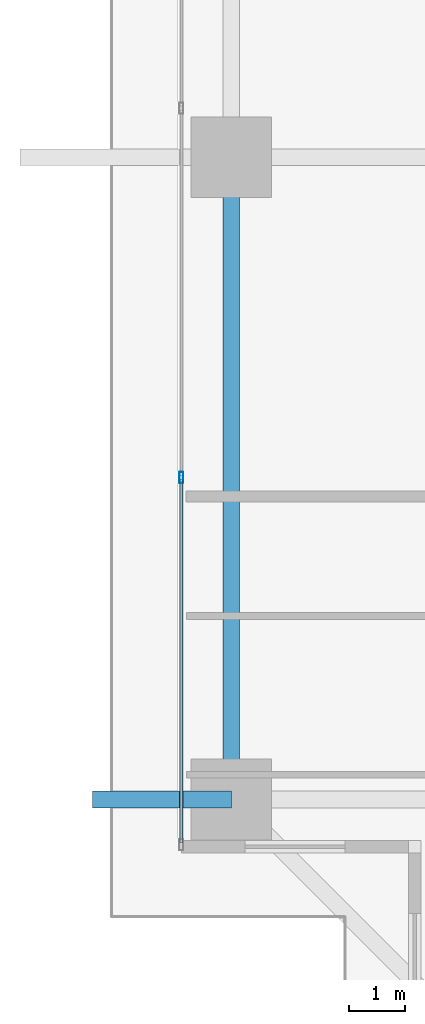
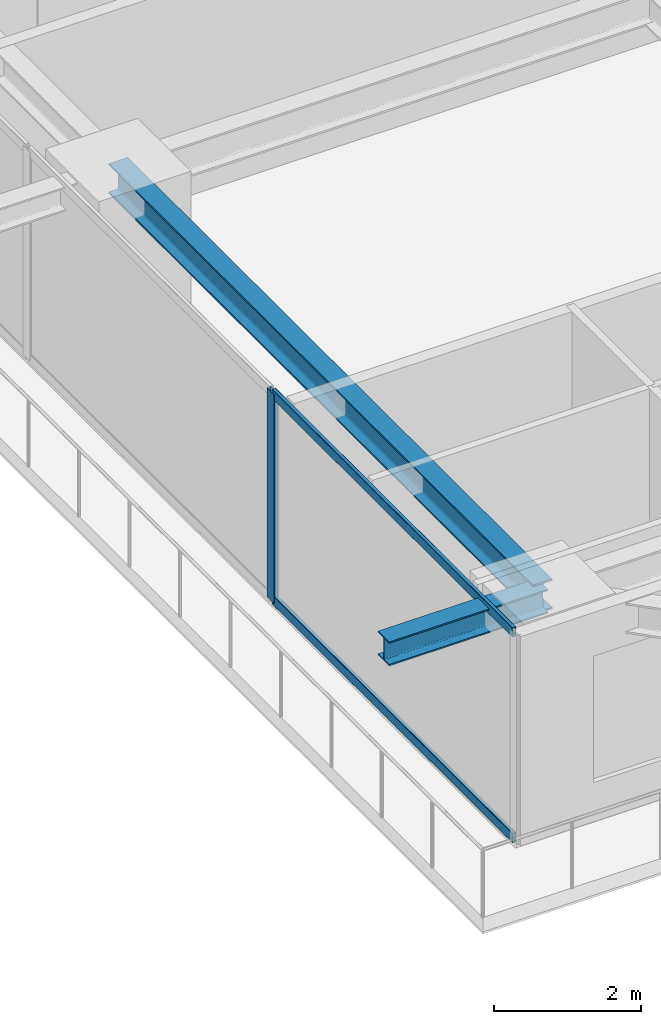
# One storey, part 3 of 38: 3 members, 2 beams, 1 element without a shape of its own.
"""IFC4 building model written with IfcOpenShell, lengths in metres."""

from ifc_helpers import new_model, si_unit, direction, frame, origin, origin_2d, place, context, subcontext, project, spatial, hollow_rectangle, i_section, extrude, source, transform, mapped, material, layer, layer_set, material_profile, profile_set, type_object, element, aggregate, save


model = new_model("IFC4")

# Units and contexts
model_context = context("Model", 3, precision=1e-05, world=origin(), true_north=direction((0.0, 1.0)))
body_context = subcontext(model_context, "Body", "Model", "MODEL_VIEW")
ifc_project = project(units=[si_unit("LENGTHUNIT", "METRE"), si_unit("AREAUNIT", "SQUARE_METRE"), si_unit("VOLUMEUNIT", "CUBIC_METRE"), si_unit("PLANEANGLEUNIT", "RADIAN"), si_unit("MASSUNIT", "GRAM", prefix="KILO")], contexts=[model_context])

# Site, building, storey
site_placement = place(None, origin())
site = spatial("IfcSite", under=ifc_project, at=site_placement, CompositionType="ELEMENT")
building_placement = place(site_placement, origin())
building = spatial("IfcBuilding", under=site, at=building_placement, Name="Serunith Strait Residences", CompositionType="ELEMENT")
storey_placement = place(building_placement, frame((0.0, 0.0, 67.949951171875)))
storey = spatial("IfcBuildingStorey", under=building, at=storey_placement, Name="L16", CompositionType="ELEMENT", Elevation=67.949951171875)

# Beams
ifc_material_1 = material(Name="Steel S355J2", Category="steel")
ifc_material_profile_1 = material_profile(ifc_material_1, i_section(OverallWidth=0.300048828125, OverallDepth=0.5, WebThickness=0.014404296875, FlangeThickness=0.028076171875, FilletRadius=0.027099609375, at=origin_2d()), Name="HEB 500")
ifc_profile_set_1 = profile_set([ifc_material_profile_1], Name="Steel S355J2")
beam_type_1 = type_object("IfcBeamType", Name="BM-HEB500", PredefinedType="BEAM", material=ifc_profile_set_1)
shared_shape_1 = source(origin(), body_context, "Body", "SweptSolid", [
    extrude(i_section(OverallWidth=0.300048828125, OverallDepth=0.5, WebThickness=0.014404296875, FlangeThickness=0.028076171875, FilletRadius=0.027099609375, at=origin_2d()), origin(), (0.0, 0.0, 1.0), 11.550048828125),
])
beam_1_placement = place(storey_placement, frame((6.89990234375, 21.0, 3.237060546875), z_axis=(0.0, -1.0, 0.0), x_axis=(1.0, 0.0, 0.0)))
element("IfcBeam", 1, at=beam_1_placement, inside=storey, type_object=beam_type_1, Name="L16 Perimeter Ring Beam 15", PredefinedType="BEAM", context=body_context, shape_type="MappedRepresentation", body=[
    mapped(shared_shape_1, transform((0.0, 0.0, 0.0), scale=1.0)),
])
ifc_material_profile_2 = material_profile(ifc_material_1, i_section(OverallWidth=0.300048828125, OverallDepth=0.39990234375, WebThickness=0.013427734375, FlangeThickness=0.02392578125, FilletRadius=0.027099609375, at=origin_2d()), Name="HEB 400")
ifc_profile_set_2 = profile_set([ifc_material_profile_2], Name="Steel S355J2")
beam_type_2 = type_object("IfcBeamType", Name="BM-HEB400", PredefinedType="BEAM", material=ifc_profile_set_2)
shared_shape_2 = source(origin(), body_context, "Body", "SweptSolid", [
    extrude(i_section(OverallWidth=0.300048828125, OverallDepth=0.39990234375, WebThickness=0.013427734375, FlangeThickness=0.02392578125, FilletRadius=0.027099609375, at=origin_2d()), origin(), (0.0, 0.0, 1.0), 2.499755859375),
])
beam_2_placement = place(storey_placement, frame((6.89990234375, 9.449951171875, 3.257080078125), z_axis=(-1.0, 0.0, 0.0), x_axis=(0.0, -1.0, 0.0)))
element("IfcBeam", 2, at=beam_2_placement, inside=storey, type_object=beam_type_2, Name="L17 Cantilevered Balcony Rib TC-W1", PredefinedType="BEAM", context=body_context, shape_type="MappedRepresentation", body=[
    mapped(shared_shape_2, transform((0.0, 0.0, 0.0), scale=1.0)),
])

# Curtain wall, members
ifc_material_2 = material(Name="Pale-Champagne Anodised Aluminium", Category="aluminium")
ifc_layer = layer(ifc_material_2, 0.199951171875, Name="Pale-Champagne Anodised Aluminium")
ifc_layer_set = layer_set([ifc_layer], Name="Pale-Champagne Anodised Aluminium")
curtain_wall_type = type_object("IfcCurtainWallType", Name="CW-SYS1", PredefinedType="NOTDEFINED", material=ifc_layer_set)
curtain_wall_placement = place(storey_placement, origin())
curtain_wall = element("IfcCurtainWall", 3, at=curtain_wall_placement, inside=storey, type_object=curtain_wall_type, Name="L16 W Unitised Fritted Curtain Wall", PredefinedType="NOTDEFINED")
ifc_material_profile_3 = material_profile(ifc_material_2, hollow_rectangle(XDim=0.070068359375, YDim=0.199951171875, WallThickness=0.00390625, InnerFilletRadius=0.006103515625, OuterFilletRadius=0.010009765625, at=origin_2d()), Name="ALU 200x70x4")
ifc_profile_set_3 = profile_set([ifc_material_profile_3], Name="Pale-Champagne Anodised Aluminium")
member_type_1 = type_object("IfcMemberType", Name="CW-SYS1-MULL", PredefinedType="MULLION", material=ifc_profile_set_3)
shared_shape_3 = source(origin(), body_context, "Body", "SweptSolid", [
    extrude(hollow_rectangle(XDim=0.070068359375, YDim=0.199951171875, WallThickness=0.00390625, InnerFilletRadius=0.006103515625, OuterFilletRadius=0.010009765625, at=origin_2d()), origin(), (0.0, 0.0, 1.0), 3.47509765625),
])
member_1_placement = place(storey_placement, frame((6.0, 15.239990234375, 0.0), z_axis=(0.0, 0.0, 1.0), x_axis=(1.0, 0.0, 0.0)))
member_1 = element("IfcMember", 4, at=member_1_placement, type_object=member_type_1, Name="CW-1 mullion 5", PredefinedType="MULLION", context=body_context, shape_type="MappedRepresentation", body=[
    mapped(shared_shape_3, transform((0.0, 0.0, 0.0), scale=1.0)),
])
ifc_material_profile_4 = material_profile(ifc_material_2, hollow_rectangle(XDim=0.06005859375, YDim=0.159912109375, WallThickness=0.00341796875, InnerFilletRadius=0.00537109375, OuterFilletRadius=0.0087890625, at=origin_2d()), Name="ALU 160x60x3.5")
ifc_profile_set_4 = profile_set([ifc_material_profile_4], Name="Pale-Champagne Anodised Aluminium")
member_type_2 = type_object("IfcMemberType", Name="CW-SYS1-TRAN", PredefinedType="USERDEFINED", material=ifc_profile_set_4)
shared_shape_4 = source(origin(), body_context, "Body", "SweptSolid", [
    extrude(hollow_rectangle(XDim=0.06005859375, YDim=0.159912109375, WallThickness=0.00341796875, InnerFilletRadius=0.00537109375, OuterFilletRadius=0.0087890625, at=origin_2d()), origin(), (0.0, 0.0, 1.0), 6.53515625),
])
member_2_placement = place(storey_placement, frame((6.0, 15.205078125, 0.030029296875), z_axis=(0.0, -1.0, 0.0), x_axis=(1.0, 0.0, 0.0)))
member_2 = element("IfcMember", 5, at=member_2_placement, type_object=member_type_2, Name="CW-1 transom 5.1", ObjectType="TRANSOM", PredefinedType="USERDEFINED", context=body_context, shape_type="MappedRepresentation", body=[
    mapped(shared_shape_4, transform((0.0, 0.0, 0.0), scale=1.0)),
])
member_3_placement = place(storey_placement, frame((6.0, 15.205078125, 3.445068359375), z_axis=(0.0, -1.0, 0.0), x_axis=(1.0, 0.0, 0.0)))
member_3 = element("IfcMember", 6, at=member_3_placement, type_object=member_type_2, Name="CW-1 transom 5.2", ObjectType="TRANSOM", PredefinedType="USERDEFINED", context=body_context, shape_type="MappedRepresentation", body=[
    mapped(shared_shape_4, transform((0.0, 0.0, 0.0), scale=1.0)),
])
aggregate(curtain_wall, [member_1, member_2, member_3])

save(model, "model.ifc")
